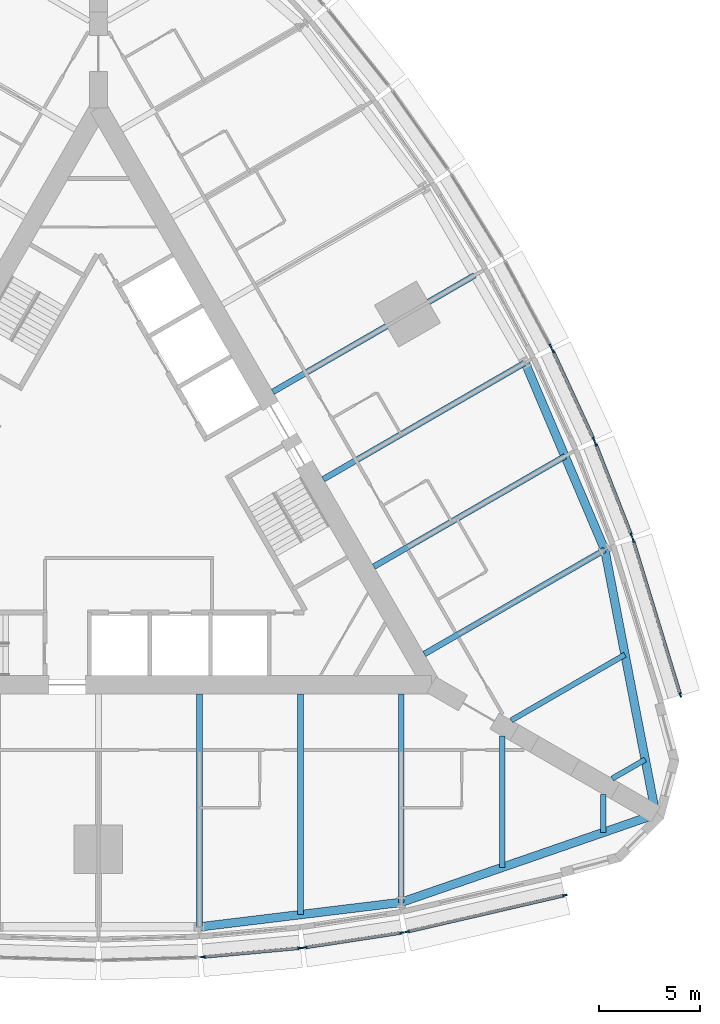
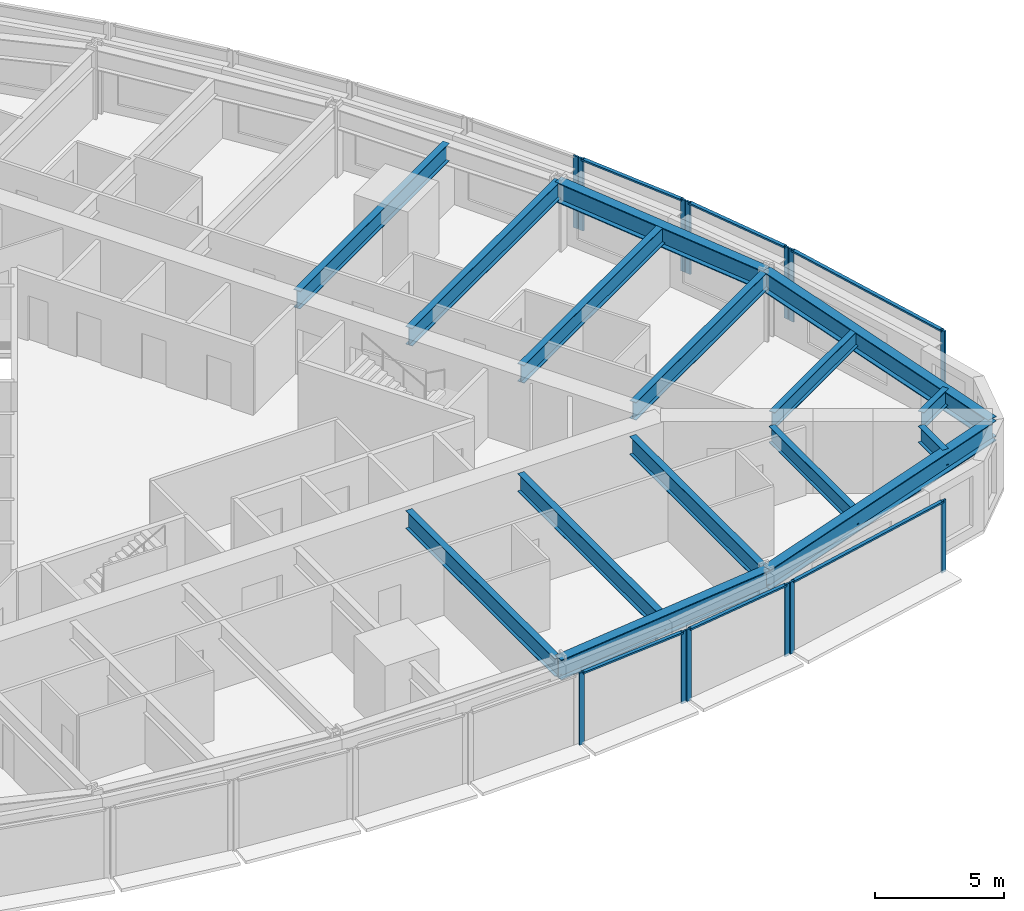
# One storey, part 3 of 14: 19 members, 15 beams, 7 elements without a shape of their own.
"""IFC4 building model written with IfcOpenShell, lengths in metres."""

from ifc_helpers import new_model, si_unit, direction, frame, origin, origin_2d, place, context, subcontext, project, spatial, rectangle, i_section, extrude, material, material_profile, profile_set, type_object, element, aggregate, save


model = new_model("IFC4")

# Units and contexts
model_context = context("Model", 3, precision=1e-05, world=origin(), true_north=direction((0.0, 1.0)))
body_context = subcontext(model_context, "Body", "Model", "MODEL_VIEW")
ifc_project = project(units=[si_unit("LENGTHUNIT", "METRE"), si_unit("AREAUNIT", "SQUARE_METRE"), si_unit("VOLUMEUNIT", "CUBIC_METRE"), si_unit("PLANEANGLEUNIT", "RADIAN"), si_unit("MASSUNIT", "GRAM", prefix="KILO")], contexts=[model_context])

# Site, building, storey
site_placement = place(None, origin())
site = spatial("IfcSite", under=ifc_project, at=site_placement, CompositionType="ELEMENT")
building_placement = place(site_placement, origin())
building = spatial("IfcBuilding", under=site, at=building_placement, Name="Trikona Tower", CompositionType="ELEMENT")
storey_placement = place(building_placement, frame((0.0, 0.0, 52.300048828125)))
storey = spatial("IfcBuildingStorey", under=building, at=storey_placement, Name="L12", CompositionType="ELEMENT", Elevation=52.300048828125)

# Curtain wall, members
ifc_material_1 = material(Name="Aluminium curtain wall system", Category="aluminium")
curtain_wall_type = type_object("IfcCurtainWallType", Name="Curtain wall DS1", PredefinedType="NOTDEFINED", material=ifc_material_1)
curtain_wall_1_placement = place(storey_placement, origin())
curtain_wall_1 = element("IfcCurtainWall", 1, at=curtain_wall_1_placement, inside=storey, type_object=curtain_wall_type, Name="Curtain wall DS1 L12", PredefinedType="NOTDEFINED")
ifc_material_2 = material(Name="Aluminium mullion, pale anodised", Category="aluminium")
ifc_material_profile_1 = material_profile(ifc_material_2, rectangle(XDim=0.080078125, YDim=0.219970703125, at=origin_2d()), Name="MUL-DS1")
ifc_profile_set_1 = profile_set([ifc_material_profile_1], Name="Aluminium mullion, pale anodised")
member_type_1 = type_object("IfcMemberType", Name="Mullion DS1 80x220", PredefinedType="MULLION", material=ifc_profile_set_1)
member_1_placement = place(storey_placement, frame((5.181396484375, -23.007568359375, 0.0), z_axis=(0.0, 0.0, 1.0), x_axis=(-0.090923932737, 0.995857840485, 0.0)))
member_1 = element("IfcMember", 2, at=member_1_placement, type_object=member_type_1, Name="CW-DS1 mullion 1", PredefinedType="MULLION", context=body_context, shape_type="SweptSolid", body=[
    extrude(rectangle(XDim=0.080078125, YDim=0.219970703125, at=origin_2d()), origin(), (0.0, 0.0, 1.0), 3.39990234375),
])
member_2_placement = place(storey_placement, frame((9.982177734375, -22.5693359375, 0.0), z_axis=(0.0, 0.0, 1.0), x_axis=(-0.090923932737, 0.995857840485, 0.0)))
member_2 = element("IfcMember", 3, at=member_2_placement, type_object=member_type_1, Name="CW-DS1 mullion 2", PredefinedType="MULLION", context=body_context, shape_type="SweptSolid", body=[
    extrude(rectangle(XDim=0.080078125, YDim=0.219970703125, at=origin_2d()), origin(), (0.0, 0.0, 1.0), 3.39990234375),
])

curtain_wall_2_placement = place(storey_placement, origin())
curtain_wall_2 = element("IfcCurtainWall", 4, at=curtain_wall_2_placement, inside=storey, type_object=curtain_wall_type, Name="Curtain wall DS1 L12", PredefinedType="NOTDEFINED")
member_3_placement = place(storey_placement, frame((10.234130859375, -22.53857421875, 0.0), z_axis=(0.0, 0.0, 1.0), x_axis=(-0.150437693845, 0.988619492156, 0.0)))
member_3 = element("IfcMember", 5, at=member_3_placement, type_object=member_type_1, Name="CW-DS1 mullion 1", PredefinedType="MULLION", context=body_context, shape_type="SweptSolid", body=[
    extrude(rectangle(XDim=0.080078125, YDim=0.219970703125, at=origin_2d()), origin(), (0.0, 0.0, 1.0), 3.39990234375),
])
member_4_placement = place(storey_placement, frame((15.03662109375, -21.807861328125, 0.0), z_axis=(0.0, 0.0, 1.0), x_axis=(-0.150437693845, 0.988619492156, 0.0)))
member_4 = element("IfcMember", 6, at=member_4_placement, type_object=member_type_1, Name="CW-DS1 mullion 2", PredefinedType="MULLION", context=body_context, shape_type="SweptSolid", body=[
    extrude(rectangle(XDim=0.080078125, YDim=0.219970703125, at=origin_2d()), origin(), (0.0, 0.0, 1.0), 3.39990234375),
])

curtain_wall_3_placement = place(storey_placement, origin())
curtain_wall_3 = element("IfcCurtainWall", 7, at=curtain_wall_3_placement, inside=storey, type_object=curtain_wall_type, Name="Curtain wall DS1 L12", PredefinedType="NOTDEFINED")
member_5_placement = place(storey_placement, frame((15.30029296875, -21.75732421875, 0.0), z_axis=(0.0, 0.0, 1.0), x_axis=(-0.225343288756, 0.974279427173, 0.0)))
member_5 = element("IfcMember", 8, at=member_5_placement, type_object=member_type_1, Name="CW-DS1 mullion 1", PredefinedType="MULLION", context=body_context, shape_type="SweptSolid", body=[
    extrude(rectangle(XDim=0.080078125, YDim=0.219970703125, at=origin_2d()), origin(), (0.0, 0.0, 1.0), 3.39990234375),
])
member_6_placement = place(storey_placement, frame((23.10546875, -19.951904296875, 0.0), z_axis=(0.0, 0.0, 1.0), x_axis=(-0.225343288756, 0.974279427173, 0.0)))
member_6 = element("IfcMember", 9, at=member_6_placement, type_object=member_type_1, Name="CW-DS1 mullion 2", PredefinedType="MULLION", context=body_context, shape_type="SweptSolid", body=[
    extrude(rectangle(XDim=0.080078125, YDim=0.219970703125, at=origin_2d()), origin(), (0.0, 0.0, 1.0), 3.39990234375),
])

curtain_wall_4_placement = place(storey_placement, origin())
curtain_wall_4 = element("IfcCurtainWall", 10, at=curtain_wall_4_placement, inside=storey, type_object=curtain_wall_type, Name="Curtain wall DS1 L12", PredefinedType="NOTDEFINED")
member_7_placement = place(storey_placement, frame((28.83154296875, -10.033935546875, 0.0), z_axis=(0.0, 0.0, 1.0), x_axis=(-0.956423115383, -0.291984287868, 0.0)))
member_7 = element("IfcMember", 11, at=member_7_placement, type_object=member_type_1, Name="CW-DS1 mullion 1", PredefinedType="MULLION", context=body_context, shape_type="SweptSolid", body=[
    extrude(rectangle(XDim=0.080078125, YDim=0.219970703125, at=origin_2d()), origin(), (0.0, 0.0, 1.0), 3.39990234375),
])
member_8_placement = place(storey_placement, frame((26.492431640625, -2.371826171875, 0.0), z_axis=(0.0, 0.0, 1.0), x_axis=(-0.956423115383, -0.291984287868, 0.0)))
member_8 = element("IfcMember", 12, at=member_8_placement, type_object=member_type_1, Name="CW-DS1 mullion 2", PredefinedType="MULLION", context=body_context, shape_type="SweptSolid", body=[
    extrude(rectangle(XDim=0.080078125, YDim=0.219970703125, at=origin_2d()), origin(), (0.0, 0.0, 1.0), 3.39990234375),
])

curtain_wall_5_placement = place(storey_placement, origin())
curtain_wall_5 = element("IfcCurtainWall", 13, at=curtain_wall_5_placement, inside=storey, type_object=curtain_wall_type, Name="Curtain wall DS1 L12", PredefinedType="NOTDEFINED")
member_9_placement = place(storey_placement, frame((26.404296875, -2.1181640625, 0.0), z_axis=(0.0, 0.0, 1.0), x_axis=(-0.931395989443, -0.36400756977, 0.0)))
member_9 = element("IfcMember", 14, at=member_9_placement, type_object=member_type_1, Name="CW-DS1 mullion 1", PredefinedType="MULLION", context=body_context, shape_type="SweptSolid", body=[
    extrude(rectangle(XDim=0.080078125, YDim=0.219970703125, at=origin_2d()), origin(), (0.0, 0.0, 1.0), 3.39990234375),
])
member_10_placement = place(storey_placement, frame((24.63623046875, 2.40625, 0.0), z_axis=(0.0, 0.0, 1.0), x_axis=(-0.931395989443, -0.36400756977, 0.0)))
member_10 = element("IfcMember", 15, at=member_10_placement, type_object=member_type_1, Name="CW-DS1 mullion 2", PredefinedType="MULLION", context=body_context, shape_type="SweptSolid", body=[
    extrude(rectangle(XDim=0.080078125, YDim=0.219970703125, at=origin_2d()), origin(), (0.0, 0.0, 1.0), 3.39990234375),
])

curtain_wall_6_placement = place(storey_placement, origin())
curtain_wall_6 = element("IfcCurtainWall", 16, at=curtain_wall_6_placement, inside=storey, type_object=curtain_wall_type, Name="Curtain wall DS1 L12", PredefinedType="NOTDEFINED")
member_11_placement = place(storey_placement, frame((24.53662109375, 2.6396484375, 0.0), z_axis=(0.0, 0.0, 1.0), x_axis=(-0.907898459992, -0.419190155352, 0.0)))
member_11 = element("IfcMember", 17, at=member_11_placement, type_object=member_type_1, Name="CW-DS1 mullion 1", PredefinedType="MULLION", context=body_context, shape_type="SweptSolid", body=[
    extrude(rectangle(XDim=0.080078125, YDim=0.219970703125, at=origin_2d()), origin(), (0.0, 0.0, 1.0), 3.39990234375),
])
member_12_placement = place(storey_placement, frame((22.515869140625, 7.0166015625, 0.0), z_axis=(0.0, 0.0, 1.0), x_axis=(-0.907898459992, -0.419190155352, 0.0)))
member_12 = element("IfcMember", 18, at=member_12_placement, type_object=member_type_1, Name="CW-DS1 mullion 2", PredefinedType="MULLION", context=body_context, shape_type="SweptSolid", body=[
    extrude(rectangle(XDim=0.080078125, YDim=0.219970703125, at=origin_2d()), origin(), (0.0, 0.0, 1.0), 3.39990234375),
])

# Curtain wall, member
curtain_wall_7_placement = place(storey_placement, origin())
curtain_wall_7 = element("IfcCurtainWall", 19, at=curtain_wall_7_placement, inside=storey, type_object=curtain_wall_type, Name="Curtain wall DS1 L12", PredefinedType="NOTDEFINED")
member_13_placement = place(storey_placement, frame((22.402099609375, 7.244140625, 0.0), z_axis=(0.0, 0.0, 1.0), x_axis=(-0.880843080975, -0.473408350896, 0.0)))
member_13 = element("IfcMember", 20, at=member_13_placement, type_object=member_type_1, Name="CW-DS1 mullion 1", PredefinedType="MULLION", context=body_context, shape_type="SweptSolid", body=[
    extrude(rectangle(XDim=0.080078125, YDim=0.219970703125, at=origin_2d()), origin(), (0.0, 0.0, 1.0), 3.39990234375),
])
aggregate(curtain_wall_7, [member_13])

# Beams
ifc_material_3 = material(Name="Steel ASTM A992 Grade 50", Category="steel")
ifc_material_profile_2 = material_profile(ifc_material_3, i_section(OverallWidth=0.2666015625, OverallDepth=0.76953125, WebThickness=0.015625, FlangeThickness=0.025390625, at=origin_2d()), Name="W30X132")
ifc_profile_set_2 = profile_set([ifc_material_profile_2], Name="Steel ASTM A992 Grade 50")
beam_type_1 = type_object("IfcBeamType", Name="Steel beam W30x132 (wedge)", PredefinedType="BEAM", material=ifc_profile_set_2)
beam_1_placement = place(storey_placement, frame((20.0, -12.066650390625, 2.85009765625), z_axis=(0.0, -1.0, 0.0), x_axis=(1.0, 0.0, 0.0)))
element("IfcBeam", 21, at=beam_1_placement, inside=storey, type_object=beam_type_1, Name="Floor beam L13 F1 u20", PredefinedType="BEAM", context=body_context, shape_type="SweptSolid", body=[
    extrude(i_section(OverallWidth=0.2666015625, OverallDepth=0.76953125, WebThickness=0.015625, FlangeThickness=0.025390625, at=origin_2d()), origin(), (0.0, 0.0, 1.0), 6.5068359375),
])
for number, where, z_axis, x_axis, name in (
    (22, (25.0, -14.953369140625, 2.85009765625), (0.0, -1.0, 0.0), (1.0, 0.0, 0.0), "Floor beam L13 F1 u25"),
    (23, (25.449951171875, -14.173828125, 2.85009765625), (0.866065156741, 0.499931139538, 0.0), (-0.499931139538, 0.866065156741, 0.0), "Floor beam L13 F2 u-25"),
):
    element("IfcBeam", number, at=place(storey_placement, frame(where, z_axis=z_axis, x_axis=x_axis)), inside=storey, type_object=beam_type_1, Name=name, PredefinedType="BEAM", context=body_context, shape_type="SweptSolid", body=[
        extrude(i_section(OverallWidth=0.2666015625, OverallDepth=0.76953125, WebThickness=0.015625, FlangeThickness=0.025390625, at=origin_2d()), origin(), (0.0, 0.0, 1.0), 1.890380859375),
    ])
beam_2_placement = place(storey_placement, frame((20.449951171875, -11.287109375, 2.85009765625), z_axis=(0.866022504693, 0.50000502134, 0.0), x_axis=(-0.50000502134, 0.866022504693, 0.0)))
element("IfcBeam", 24, at=beam_2_placement, inside=storey, type_object=beam_type_1, Name="Floor beam L13 F2 u-20", PredefinedType="BEAM", context=body_context, shape_type="SweptSolid", body=[
    extrude(i_section(OverallWidth=0.2666015625, OverallDepth=0.76953125, WebThickness=0.015625, FlangeThickness=0.025390625, at=origin_2d()), origin(), (0.0, 0.0, 1.0), 6.5068359375),
])
ifc_material_4 = material(Name="Steel ASTM A992 Grade 50", Category="steel")
ifc_material_profile_3 = material_profile(ifc_material_4, i_section(OverallWidth=0.2919921875, OverallDepth=0.845703125, WebThickness=0.015380859375, FlangeThickness=0.0244140625, at=origin_2d()), Name="W33X141")
ifc_profile_set_3 = profile_set([ifc_material_profile_3], Name="Steel ASTM A992 Grade 50")
beam_type_2 = type_object("IfcBeamType", Name="Steel beam W33x141 (radial typ)", PredefinedType="BEAM", material=ifc_profile_set_3)
beam_3_placement = place(storey_placement, frame((5.0, -9.976318359375, 2.81201171875), z_axis=(0.0, -1.0, 0.0), x_axis=(1.0, 0.0, 0.0)))
element("IfcBeam", 25, at=beam_3_placement, inside=storey, type_object=beam_type_2, Name="Floor beam L13 F1 u5", PredefinedType="BEAM", context=body_context, shape_type="SweptSolid", body=[
    extrude(i_section(OverallWidth=0.2919921875, OverallDepth=0.845703125, WebThickness=0.015380859375, FlangeThickness=0.0244140625, at=origin_2d()), origin(), (0.0, 0.0, 1.0), 11.544189453125),
])
beam_4_placement = place(storey_placement, frame((10.0, -9.976318359375, 2.81201171875), z_axis=(0.0, -1.0, 0.0), x_axis=(1.0, 0.0, 0.0)))
element("IfcBeam", 26, at=beam_4_placement, inside=storey, type_object=beam_type_2, Name="Floor beam L13 F1 u10", PredefinedType="BEAM", context=body_context, shape_type="SweptSolid", body=[
    extrude(i_section(OverallWidth=0.2919921875, OverallDepth=0.845703125, WebThickness=0.015380859375, FlangeThickness=0.0244140625, at=origin_2d()), origin(), (0.0, 0.0, 1.0), 10.935302734375),
])
beam_5_placement = place(storey_placement, frame((15.0, -9.976318359375, 2.81201171875), z_axis=(0.0, -1.0, 0.0), x_axis=(1.0, 0.0, 0.0)))
element("IfcBeam", 27, at=beam_5_placement, inside=storey, type_object=beam_type_2, Name="Floor beam L13 F1 u15", PredefinedType="BEAM", context=body_context, shape_type="SweptSolid", body=[
    extrude(i_section(OverallWidth=0.2919921875, OverallDepth=0.845703125, WebThickness=0.015380859375, FlangeThickness=0.0244140625, at=origin_2d()), origin(), (0.0, 0.0, 1.0), 10.32666015625),
])
beam_6_placement = place(storey_placement, frame((16.1396484375, -8.002197265625, 2.81201171875), z_axis=(0.866030471684, 0.499991222037, 0.0), x_axis=(-0.499991222037, 0.866030471684, 0.0)))
element("IfcBeam", 28, at=beam_6_placement, inside=storey, type_object=beam_type_2, Name="Floor beam L13 F2 u-15", PredefinedType="BEAM", context=body_context, shape_type="SweptSolid", body=[
    extrude(i_section(OverallWidth=0.2919921875, OverallDepth=0.845703125, WebThickness=0.015380859375, FlangeThickness=0.0244140625, at=origin_2d()), origin(), (0.0, 0.0, 1.0), 10.326904296875),
])
beam_7_placement = place(storey_placement, frame((13.6396484375, -3.672119140625, 2.81201171875), z_axis=(0.866025348605, 0.500000095573, 0.0), x_axis=(-0.500000095573, 0.866025348605, 0.0)))
element("IfcBeam", 29, at=beam_7_placement, inside=storey, type_object=beam_type_2, Name="Floor beam L13 F2 u-10", PredefinedType="BEAM", context=body_context, shape_type="SweptSolid", body=[
    extrude(i_section(OverallWidth=0.2919921875, OverallDepth=0.845703125, WebThickness=0.015380859375, FlangeThickness=0.0244140625, at=origin_2d()), origin(), (0.0, 0.0, 1.0), 10.935546875),
])
for number, where, z_axis, x_axis, name in (
    (30, (11.1396484375, 0.657958984375, 2.81201171875), (0.866020765707, 0.500008033299, 0.0), (-0.500008033299, 0.866020765707, 0.0), "Floor beam L13 F2 u-5"),
    (31, (8.6396484375, 4.988037109375, 2.81201171875), (0.866020765707, 0.500008033299, 0.0), (-0.500008033299, 0.866020765707, 0.0), "Floor beam L13 F2 u0"),
):
    element("IfcBeam", number, at=place(storey_placement, frame(where, z_axis=z_axis, x_axis=x_axis)), inside=storey, type_object=beam_type_2, Name=name, PredefinedType="BEAM", context=body_context, shape_type="SweptSolid", body=[
        extrude(i_section(OverallWidth=0.2919921875, OverallDepth=0.845703125, WebThickness=0.015380859375, FlangeThickness=0.0244140625, at=origin_2d()), origin(), (0.0, 0.0, 1.0), 11.544189453125),
    ])
ifc_material_5 = material(Name="Steel ASTM A992 Grade 50", Category="steel")
ifc_material_profile_4 = material_profile(ifc_material_5, i_section(OverallWidth=0.424072265625, OverallDepth=0.947509765625, WebThickness=0.02392578125, FlangeThickness=0.042724609375, at=origin_2d()), Name="W36X302")
ifc_profile_set_4 = profile_set([ifc_material_profile_4], Name="Steel ASTM A992 Grade 50")
beam_type_3 = type_object("IfcBeamType", Name="Steel beam W36x302 (spandrel)", PredefinedType="SPANDREL", material=ifc_profile_set_4)
beam_8_placement = place(storey_placement, frame((5.0, -21.5205078125, 2.76123046875), z_axis=(0.99266951126, 0.120860421207, 0.0), x_axis=(-0.120860421207, 0.99266951126, 0.0)))
element("IfcBeam", 32, at=beam_8_placement, inside=storey, type_object=beam_type_3, Name="Spandrel beam L13 F1-4", PredefinedType="SPANDREL", context=body_context, shape_type="SweptSolid", body=[
    extrude(i_section(OverallWidth=0.424072265625, OverallDepth=0.947509765625, WebThickness=0.02392578125, FlangeThickness=0.042724609375, at=origin_2d()), origin(), (0.0, 0.0, 1.0), 10.07373046875),
])
for number, where, z_axis, x_axis, name in (
    (33, (15.0, -20.302978515625, 2.76123046875), (0.945056965739, 0.326905692071, 0.0), (-0.326905692071, 0.945056965739, 0.0), "Spandrel beam L13 F1-5"),
    (34, (27.6103515625, -15.94091796875, 2.76123046875), (-0.189405184036, 0.981899015307, 0.0), (-0.981899015307, -0.189405184036, 0.0), "Spandrel beam L13 F2-1"),
):
    element("IfcBeam", number, at=place(storey_placement, frame(where, z_axis=z_axis, x_axis=x_axis)), inside=storey, type_object=beam_type_3, Name=name, PredefinedType="SPANDREL", context=body_context, shape_type="SweptSolid", body=[
        extrude(i_section(OverallWidth=0.424072265625, OverallDepth=0.947509765625, WebThickness=0.02392578125, FlangeThickness=0.042724609375, at=origin_2d()), origin(), (0.0, 0.0, 1.0), 13.343505859375),
    ])
beam_9_placement = place(storey_placement, frame((25.0830078125, -2.8388671875, 2.76123046875), z_axis=(-0.391683514847, 0.920100007715, 0.0), x_axis=(-0.920100007715, -0.391683514847, 0.0)))
element("IfcBeam", 35, at=beam_9_placement, inside=storey, type_object=beam_type_3, Name="Spandrel beam L13 F2-2", PredefinedType="SPANDREL", context=body_context, shape_type="SweptSolid", body=[
    extrude(i_section(OverallWidth=0.424072265625, OverallDepth=0.947509765625, WebThickness=0.02392578125, FlangeThickness=0.042724609375, at=origin_2d()), origin(), (0.0, 0.0, 1.0), 10.073974609375),
])

# Member
ifc_material_6 = material(Name="Aluminium transom, pale anodised", Category="aluminium")
ifc_material_profile_5 = material_profile(ifc_material_6, rectangle(XDim=0.159912109375, YDim=0.080078125, at=origin_2d()), Name="TRN-DS1")
ifc_profile_set_5 = profile_set([ifc_material_profile_5], Name="Aluminium transom, pale anodised")
member_type_2 = type_object("IfcMemberType", Name="Transom DS1 80x160", PredefinedType="USERDEFINED", material=ifc_profile_set_5)
member_14_placement = place(storey_placement, frame((5.22119140625, -23.00390625, 3.35986328125), z_axis=(0.995855977008, 0.090944340438, 0.0), x_axis=(-0.090944340438, 0.995855977008, 0.0)))
member_14 = element("IfcMember", 36, at=member_14_placement, type_object=member_type_2, Name="CW-DS1 transom 1.1", ObjectType="TRANSOM", PredefinedType="USERDEFINED", context=body_context, shape_type="SweptSolid", body=[
    extrude(rectangle(XDim=0.159912109375, YDim=0.080078125, at=origin_2d()), origin(), (0.0, 0.0, 1.0), 4.74072265625),
])

aggregate(curtain_wall_1, [member_1, member_2, member_14])

member_15_placement = place(storey_placement, frame((10.273681640625, -22.532470703125, 3.35986328125), z_axis=(0.988619663412, 0.150436568413, 0.0), x_axis=(-0.150436568413, 0.988619663412, 0.0)))
member_15 = element("IfcMember", 37, at=member_15_placement, type_object=member_type_2, Name="CW-DS1 transom 1.1", ObjectType="TRANSOM", PredefinedType="USERDEFINED", context=body_context, shape_type="SweptSolid", body=[
    extrude(rectangle(XDim=0.159912109375, YDim=0.080078125, at=origin_2d()), origin(), (0.0, 0.0, 1.0), 4.77783203125),
])

aggregate(curtain_wall_2, [member_3, member_4, member_15])

member_16_placement = place(storey_placement, frame((15.33935546875, -21.748291015625, 3.35986328125), z_axis=(0.974275371842, 0.225360821398, 0.0), x_axis=(-0.225360821398, 0.974275371842, 0.0)))
member_16 = element("IfcMember", 38, at=member_16_placement, type_object=member_type_2, Name="CW-DS1 transom 1.1", ObjectType="TRANSOM", PredefinedType="USERDEFINED", context=body_context, shape_type="SweptSolid", body=[
    extrude(rectangle(XDim=0.159912109375, YDim=0.080078125, at=origin_2d()), origin(), (0.0, 0.0, 1.0), 7.93115234375),
])

aggregate(curtain_wall_3, [member_5, member_6, member_16])

member_17_placement = place(storey_placement, frame((28.81982421875, -9.99560546875, 3.35986328125), z_axis=(-0.291967490203, 0.956428243343, 0.0), x_axis=(-0.956428243343, -0.291967490203, 0.0)))
member_17 = element("IfcMember", 39, at=member_17_placement, type_object=member_type_2, Name="CW-DS1 transom 1.1", ObjectType="TRANSOM", PredefinedType="USERDEFINED", context=body_context, shape_type="SweptSolid", body=[
    extrude(rectangle(XDim=0.159912109375, YDim=0.080078125, at=origin_2d()), origin(), (0.0, 0.0, 1.0), 7.93115234375),
])

aggregate(curtain_wall_4, [member_7, member_8, member_17])

member_18_placement = place(storey_placement, frame((26.389892578125, -2.080810546875, 3.35986328125), z_axis=(-0.364048647668, 0.931379934362, 0.0), x_axis=(-0.931379934362, -0.364048647668, 0.0)))
member_18 = element("IfcMember", 40, at=member_18_placement, type_object=member_type_2, Name="CW-DS1 transom 1.1", ObjectType="TRANSOM", PredefinedType="USERDEFINED", context=body_context, shape_type="SweptSolid", body=[
    extrude(rectangle(XDim=0.159912109375, YDim=0.080078125, at=origin_2d()), origin(), (0.0, 0.0, 1.0), 4.777587890625),
])

aggregate(curtain_wall_5, [member_9, member_10, member_18])

member_19_placement = place(storey_placement, frame((24.52001953125, 2.676025390625, 3.35986328125), z_axis=(-0.419188800665, 0.90789908547, 0.0), x_axis=(-0.90789908547, -0.419188800665, 0.0)))
member_19 = element("IfcMember", 41, at=member_19_placement, type_object=member_type_2, Name="CW-DS1 transom 1.1", ObjectType="TRANSOM", PredefinedType="USERDEFINED", context=body_context, shape_type="SweptSolid", body=[
    extrude(rectangle(XDim=0.159912109375, YDim=0.080078125, at=origin_2d()), origin(), (0.0, 0.0, 1.0), 4.74072265625),
])

aggregate(curtain_wall_6, [member_11, member_12, member_19])

save(model, "model.ifc")
